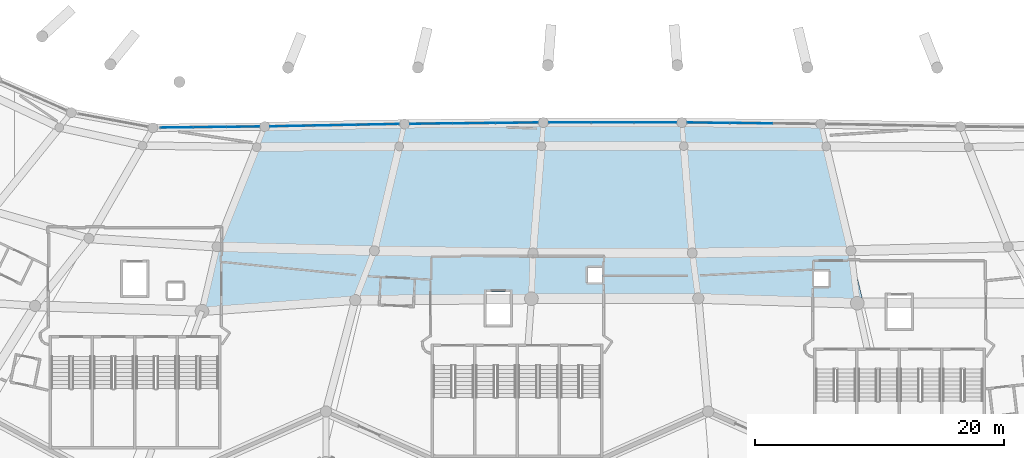
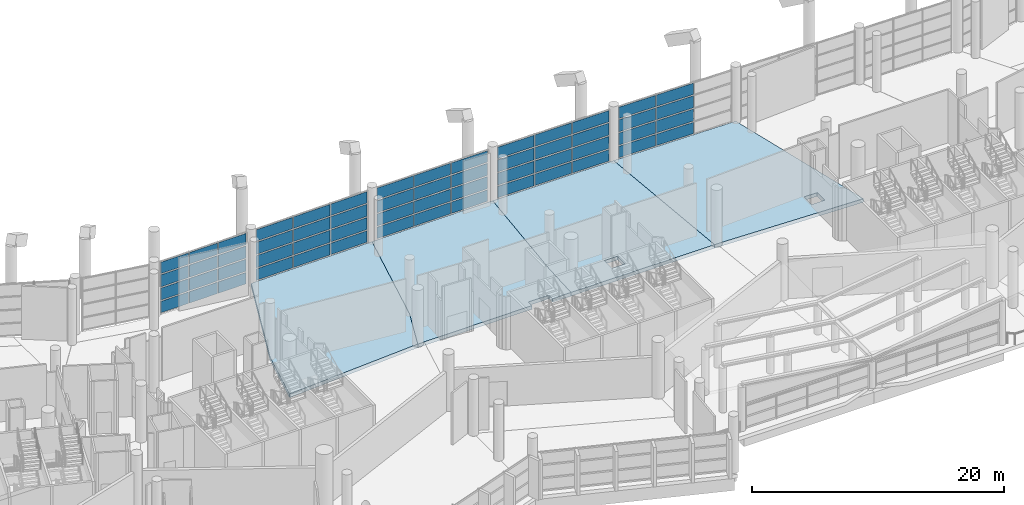
# One storey, part 120 of 271: 56 plates, 4 slabs, 5 elements without a shape of their own.
"""IFC4 building model written with IfcOpenShell, lengths in metres."""

from ifc_helpers import new_model, si_unit, direction, frame, origin, origin_2d, place, context, subcontext, project, spatial, polyline, rectangle, outline, extrude, material, layer, layer_set, type_object, element, aggregate, save


model = new_model("IFC4")

# Units and contexts
model_context = context("Model", 3, precision=1e-05, world=origin(), true_north=direction((0.0, 1.0)))
body_context = subcontext(model_context, "Body", "Model", "MODEL_VIEW")
ifc_project = project(units=[si_unit("LENGTHUNIT", "METRE"), si_unit("AREAUNIT", "SQUARE_METRE"), si_unit("VOLUMEUNIT", "CUBIC_METRE"), si_unit("PLANEANGLEUNIT", "RADIAN"), si_unit("MASSUNIT", "GRAM", prefix="KILO")], contexts=[model_context])

# Site, building, storey
site_placement = place(None, origin())
site = spatial("IfcSite", under=ifc_project, at=site_placement, CompositionType="ELEMENT")
building_placement = place(site_placement, origin())
building = spatial("IfcBuilding", under=site, at=building_placement, Name="Meseta Stadium", CompositionType="ELEMENT")
storey_placement = place(building_placement, frame((0.0, 0.0, 6.5)))
storey = spatial("IfcBuildingStorey", under=building, at=storey_placement, Name="L01", CompositionType="ELEMENT", Elevation=6.5)

# Curtain wall, plates
ifc_material_1 = material(Name="Aluminium", Category="aluminium")
ifc_layer_1 = layer(ifc_material_1, 0.199951171875)
ifc_layer_set_1 = layer_set([ifc_layer_1], Name="Club glazing curtain wall")
curtain_wall_type = type_object("IfcCurtainWallType", Name="Club glazing curtain wall", PredefinedType="NOTDEFINED", material=ifc_layer_set_1)
curtain_wall_1_placement = place(storey_placement, origin())
curtain_wall_1 = element("IfcCurtainWall", 1, at=curtain_wall_1_placement, inside=storey, type_object=curtain_wall_type, Name="Club glazing bay 43", PredefinedType="NOTDEFINED")
ifc_material_2 = material(Name="Glass", Category="glass")
ifc_layer_2 = layer(ifc_material_2, 0.028076171875)
ifc_layer_set_2 = layer_set([ifc_layer_2], Name="CW glass panel 28")
plate_type = type_object("IfcPlateType", Name="CW glass panel 28", PredefinedType="CURTAIN_PANEL", material=ifc_layer_set_2)
plate_1_placement = place(storey_placement, frame((-34.977783203125, -75.812255859375, 0.1201171875), z_axis=(0.0, 0.0, 1.0), x_axis=(0.999941218201, 0.010842515481, 0.0)))
plate_1 = element("IfcPlate", 2, at=plate_1_placement, type_object=plate_type, Name="CWC panel 1.1", PredefinedType="CURTAIN_PANEL", context=body_context, shape_type="SweptSolid", body=[
    extrude(rectangle(XDim=2.5830078125, YDim=0.028076171875, at=origin_2d()), origin(), (0.0, 0.0, 1.0), 1.107421875),
])
plate_2_placement = place(storey_placement, frame((-34.977783203125, -75.812255859375, 1.347412109375), z_axis=(0.0, 0.0, 1.0), x_axis=(0.999941218201, 0.010842515481, 0.0)))
plate_2 = element("IfcPlate", 3, at=plate_2_placement, type_object=plate_type, Name="CWC panel 1.2", PredefinedType="CURTAIN_PANEL", context=body_context, shape_type="SweptSolid", body=[
    extrude(rectangle(XDim=2.5830078125, YDim=0.028076171875, at=origin_2d()), origin(), (0.0, 0.0, 1.0), 1.16748046875),
])
plate_3_placement = place(storey_placement, frame((-34.977783203125, -75.812255859375, 2.635009765625), z_axis=(0.0, 0.0, 1.0), x_axis=(0.999941218201, 0.010842515481, 0.0)))
plate_3 = element("IfcPlate", 4, at=plate_3_placement, type_object=plate_type, Name="CWC panel 1.3", PredefinedType="CURTAIN_PANEL", context=body_context, shape_type="SweptSolid", body=[
    extrude(rectangle(XDim=2.5830078125, YDim=0.028076171875, at=origin_2d()), origin(), (0.0, 0.0, 1.0), 1.16748046875),
])
plate_4_placement = place(storey_placement, frame((-34.977783203125, -75.812255859375, 3.922607421875), z_axis=(0.0, 0.0, 1.0), x_axis=(0.999941218201, 0.010842515481, 0.0)))
plate_4 = element("IfcPlate", 5, at=plate_4_placement, type_object=plate_type, Name="CWC panel 1.4", PredefinedType="CURTAIN_PANEL", context=body_context, shape_type="SweptSolid", body=[
    extrude(rectangle(XDim=2.5830078125, YDim=0.028076171875, at=origin_2d()), origin(), (0.0, 0.0, 1.0), 1.107421875),
])
plate_5_placement = place(storey_placement, frame((-32.320068359375, -75.783447265625, 0.1201171875), z_axis=(0.0, 0.0, 1.0), x_axis=(0.999941218201, 0.010842515481, 0.0)))
plate_5 = element("IfcPlate", 6, at=plate_5_placement, type_object=plate_type, Name="CWC panel 2.1", PredefinedType="CURTAIN_PANEL", context=body_context, shape_type="SweptSolid", body=[
    extrude(rectangle(XDim=2.613037109375, YDim=0.028076171875, at=origin_2d()), origin(), (0.0, 0.0, 1.0), 1.107421875),
])
plate_6_placement = place(storey_placement, frame((-32.320068359375, -75.783447265625, 1.347412109375), z_axis=(0.0, 0.0, 1.0), x_axis=(0.999941218201, 0.010842515481, 0.0)))
plate_6 = element("IfcPlate", 7, at=plate_6_placement, type_object=plate_type, Name="CWC panel 2.2", PredefinedType="CURTAIN_PANEL", context=body_context, shape_type="SweptSolid", body=[
    extrude(rectangle(XDim=2.613037109375, YDim=0.028076171875, at=origin_2d()), origin(), (0.0, 0.0, 1.0), 1.16748046875),
])
plate_7_placement = place(storey_placement, frame((-32.320068359375, -75.783447265625, 2.635009765625), z_axis=(0.0, 0.0, 1.0), x_axis=(0.999941218201, 0.010842515481, 0.0)))
plate_7 = element("IfcPlate", 8, at=plate_7_placement, type_object=plate_type, Name="CWC panel 2.3", PredefinedType="CURTAIN_PANEL", context=body_context, shape_type="SweptSolid", body=[
    extrude(rectangle(XDim=2.613037109375, YDim=0.028076171875, at=origin_2d()), origin(), (0.0, 0.0, 1.0), 1.16748046875),
])
plate_8_placement = place(storey_placement, frame((-32.320068359375, -75.783447265625, 3.922607421875), z_axis=(0.0, 0.0, 1.0), x_axis=(0.999941218201, 0.010842515481, 0.0)))
plate_8 = element("IfcPlate", 9, at=plate_8_placement, type_object=plate_type, Name="CWC panel 2.4", PredefinedType="CURTAIN_PANEL", context=body_context, shape_type="SweptSolid", body=[
    extrude(rectangle(XDim=2.613037109375, YDim=0.028076171875, at=origin_2d()), origin(), (0.0, 0.0, 1.0), 1.107421875),
])
plate_9_placement = place(storey_placement, frame((-29.662109375, -75.754638671875, 0.1201171875), z_axis=(0.0, 0.0, 1.0), x_axis=(0.999941218201, 0.010842515481, 0.0)))
plate_9 = element("IfcPlate", 10, at=plate_9_placement, type_object=plate_type, Name="CWC panel 3.1", PredefinedType="CURTAIN_PANEL", context=body_context, shape_type="SweptSolid", body=[
    extrude(rectangle(XDim=2.5830078125, YDim=0.028076171875, at=origin_2d()), origin(), (0.0, 0.0, 1.0), 1.107421875),
])
plate_10_placement = place(storey_placement, frame((-29.662109375, -75.754638671875, 1.347412109375), z_axis=(0.0, 0.0, 1.0), x_axis=(0.999941218201, 0.010842515481, 0.0)))
plate_10 = element("IfcPlate", 11, at=plate_10_placement, type_object=plate_type, Name="CWC panel 3.2", PredefinedType="CURTAIN_PANEL", context=body_context, shape_type="SweptSolid", body=[
    extrude(rectangle(XDim=2.5830078125, YDim=0.028076171875, at=origin_2d()), origin(), (0.0, 0.0, 1.0), 1.16748046875),
])
plate_11_placement = place(storey_placement, frame((-29.662109375, -75.754638671875, 2.635009765625), z_axis=(0.0, 0.0, 1.0), x_axis=(0.999941218201, 0.010842515481, 0.0)))
plate_11 = element("IfcPlate", 12, at=plate_11_placement, type_object=plate_type, Name="CWC panel 3.3", PredefinedType="CURTAIN_PANEL", context=body_context, shape_type="SweptSolid", body=[
    extrude(rectangle(XDim=2.5830078125, YDim=0.028076171875, at=origin_2d()), origin(), (0.0, 0.0, 1.0), 1.16748046875),
])
plate_12_placement = place(storey_placement, frame((-29.662109375, -75.754638671875, 3.922607421875), z_axis=(0.0, 0.0, 1.0), x_axis=(0.999941218201, 0.010842515481, 0.0)))
plate_12 = element("IfcPlate", 13, at=plate_12_placement, type_object=plate_type, Name="CWC panel 3.4", PredefinedType="CURTAIN_PANEL", context=body_context, shape_type="SweptSolid", body=[
    extrude(rectangle(XDim=2.5830078125, YDim=0.028076171875, at=origin_2d()), origin(), (0.0, 0.0, 1.0), 1.107421875),
])
aggregate(curtain_wall_1, [plate_1, plate_2, plate_3, plate_4, plate_5, plate_6, plate_7, plate_8, plate_9, plate_10, plate_11, plate_12])

curtain_wall_2_placement = place(storey_placement, origin())
curtain_wall_2 = element("IfcCurtainWall", 14, at=curtain_wall_2_placement, inside=storey, type_object=curtain_wall_type, Name="Club glazing bay 44", PredefinedType="NOTDEFINED")
plate_13_placement = place(storey_placement, frame((-25.7607421875, -75.696044921875, 0.1201171875), z_axis=(0.0, 0.0, 1.0), x_axis=(0.99983100259, 0.018383858671, 0.0)))
plate_13 = element("IfcPlate", 15, at=plate_13_placement, type_object=plate_type, Name="CWC panel 1.1", PredefinedType="CURTAIN_PANEL", context=body_context, shape_type="SweptSolid", body=[
    extrude(rectangle(XDim=3.382080078125, YDim=0.028076171875, at=origin_2d()), origin(), (0.0, 0.0, 1.0), 1.107421875),
])
plate_14_placement = place(storey_placement, frame((-25.7607421875, -75.696044921875, 1.347412109375), z_axis=(0.0, 0.0, 1.0), x_axis=(0.99983100259, 0.018383858671, 0.0)))
plate_14 = element("IfcPlate", 16, at=plate_14_placement, type_object=plate_type, Name="CWC panel 1.2", PredefinedType="CURTAIN_PANEL", context=body_context, shape_type="SweptSolid", body=[
    extrude(rectangle(XDim=3.382080078125, YDim=0.028076171875, at=origin_2d()), origin(), (0.0, 0.0, 1.0), 1.16748046875),
])
plate_15_placement = place(storey_placement, frame((-25.7607421875, -75.696044921875, 2.635009765625), z_axis=(0.0, 0.0, 1.0), x_axis=(0.99983100259, 0.018383858671, 0.0)))
plate_15 = element("IfcPlate", 17, at=plate_15_placement, type_object=plate_type, Name="CWC panel 1.3", PredefinedType="CURTAIN_PANEL", context=body_context, shape_type="SweptSolid", body=[
    extrude(rectangle(XDim=3.382080078125, YDim=0.028076171875, at=origin_2d()), origin(), (0.0, 0.0, 1.0), 1.16748046875),
])
plate_16_placement = place(storey_placement, frame((-25.7607421875, -75.696044921875, 3.922607421875), z_axis=(0.0, 0.0, 1.0), x_axis=(0.99983100259, 0.018383858671, 0.0)))
plate_16 = element("IfcPlate", 18, at=plate_16_placement, type_object=plate_type, Name="CWC panel 1.4", PredefinedType="CURTAIN_PANEL", context=body_context, shape_type="SweptSolid", body=[
    extrude(rectangle(XDim=3.382080078125, YDim=0.028076171875, at=origin_2d()), origin(), (0.0, 0.0, 1.0), 1.107421875),
])
plate_17_placement = place(storey_placement, frame((-22.30419921875, -75.632568359375, 0.1201171875), z_axis=(0.0, 0.0, 1.0), x_axis=(0.99983100259, 0.018383858671, 0.0)))
plate_17 = element("IfcPlate", 19, at=plate_17_placement, type_object=plate_type, Name="CWC panel 2.1", PredefinedType="CURTAIN_PANEL", context=body_context, shape_type="SweptSolid", body=[
    extrude(rectangle(XDim=3.411865234375, YDim=0.028076171875, at=origin_2d()), origin(), (0.0, 0.0, 1.0), 1.107421875),
])
plate_18_placement = place(storey_placement, frame((-22.30419921875, -75.632568359375, 1.347412109375), z_axis=(0.0, 0.0, 1.0), x_axis=(0.99983100259, 0.018383858671, 0.0)))
plate_18 = element("IfcPlate", 20, at=plate_18_placement, type_object=plate_type, Name="CWC panel 2.2", PredefinedType="CURTAIN_PANEL", context=body_context, shape_type="SweptSolid", body=[
    extrude(rectangle(XDim=3.411865234375, YDim=0.028076171875, at=origin_2d()), origin(), (0.0, 0.0, 1.0), 1.16748046875),
])
plate_19_placement = place(storey_placement, frame((-22.30419921875, -75.632568359375, 2.635009765625), z_axis=(0.0, 0.0, 1.0), x_axis=(0.99983100259, 0.018383858671, 0.0)))
plate_19 = element("IfcPlate", 21, at=plate_19_placement, type_object=plate_type, Name="CWC panel 2.3", PredefinedType="CURTAIN_PANEL", context=body_context, shape_type="SweptSolid", body=[
    extrude(rectangle(XDim=3.411865234375, YDim=0.028076171875, at=origin_2d()), origin(), (0.0, 0.0, 1.0), 1.16748046875),
])
plate_20_placement = place(storey_placement, frame((-22.30419921875, -75.632568359375, 3.922607421875), z_axis=(0.0, 0.0, 1.0), x_axis=(0.99983100259, 0.018383858671, 0.0)))
plate_20 = element("IfcPlate", 22, at=plate_20_placement, type_object=plate_type, Name="CWC panel 2.4", PredefinedType="CURTAIN_PANEL", context=body_context, shape_type="SweptSolid", body=[
    extrude(rectangle(XDim=3.411865234375, YDim=0.028076171875, at=origin_2d()), origin(), (0.0, 0.0, 1.0), 1.107421875),
])
plate_21_placement = place(storey_placement, frame((-18.847900390625, -75.569091796875, 0.1201171875), z_axis=(0.0, 0.0, 1.0), x_axis=(0.99983100259, 0.018383858671, 0.0)))
plate_21 = element("IfcPlate", 23, at=plate_21_placement, type_object=plate_type, Name="CWC panel 3.1", PredefinedType="CURTAIN_PANEL", context=body_context, shape_type="SweptSolid", body=[
    extrude(rectangle(XDim=3.382080078125, YDim=0.028076171875, at=origin_2d()), origin(), (0.0, 0.0, 1.0), 1.107421875),
])
plate_22_placement = place(storey_placement, frame((-18.847900390625, -75.569091796875, 1.347412109375), z_axis=(0.0, 0.0, 1.0), x_axis=(0.99983100259, 0.018383858671, 0.0)))
plate_22 = element("IfcPlate", 24, at=plate_22_placement, type_object=plate_type, Name="CWC panel 3.2", PredefinedType="CURTAIN_PANEL", context=body_context, shape_type="SweptSolid", body=[
    extrude(rectangle(XDim=3.382080078125, YDim=0.028076171875, at=origin_2d()), origin(), (0.0, 0.0, 1.0), 1.16748046875),
])
plate_23_placement = place(storey_placement, frame((-18.847900390625, -75.569091796875, 2.635009765625), z_axis=(0.0, 0.0, 1.0), x_axis=(0.99983100259, 0.018383858671, 0.0)))
plate_23 = element("IfcPlate", 25, at=plate_23_placement, type_object=plate_type, Name="CWC panel 3.3", PredefinedType="CURTAIN_PANEL", context=body_context, shape_type="SweptSolid", body=[
    extrude(rectangle(XDim=3.382080078125, YDim=0.028076171875, at=origin_2d()), origin(), (0.0, 0.0, 1.0), 1.16748046875),
])
plate_24_placement = place(storey_placement, frame((-18.847900390625, -75.569091796875, 3.922607421875), z_axis=(0.0, 0.0, 1.0), x_axis=(0.99983100259, 0.018383858671, 0.0)))
plate_24 = element("IfcPlate", 26, at=plate_24_placement, type_object=plate_type, Name="CWC panel 3.4", PredefinedType="CURTAIN_PANEL", context=body_context, shape_type="SweptSolid", body=[
    extrude(rectangle(XDim=3.382080078125, YDim=0.028076171875, at=origin_2d()), origin(), (0.0, 0.0, 1.0), 1.107421875),
])
aggregate(curtain_wall_2, [plate_13, plate_14, plate_15, plate_16, plate_17, plate_18, plate_19, plate_20, plate_21, plate_22, plate_23, plate_24])

curtain_wall_3_placement = place(storey_placement, origin())
curtain_wall_3 = element("IfcCurtainWall", 27, at=curtain_wall_3_placement, inside=storey, type_object=curtain_wall_type, Name="Club glazing bay 45", PredefinedType="NOTDEFINED")
plate_25_placement = place(storey_placement, frame((-14.55908203125, -75.507568359375, 0.1201171875), z_axis=(0.0, 0.0, 1.0), x_axis=(0.999947169774, 0.010278991253, 0.0)))
plate_25 = element("IfcPlate", 28, at=plate_25_placement, type_object=plate_type, Name="CWC panel 1.1", PredefinedType="CURTAIN_PANEL", context=body_context, shape_type="SweptSolid", body=[
    extrude(rectangle(XDim=3.357177734375, YDim=0.028076171875, at=origin_2d()), origin(), (0.0, 0.0, 1.0), 1.107421875),
])
plate_26_placement = place(storey_placement, frame((-14.55908203125, -75.507568359375, 1.347412109375), z_axis=(0.0, 0.0, 1.0), x_axis=(0.999947169774, 0.010278991253, 0.0)))
plate_26 = element("IfcPlate", 29, at=plate_26_placement, type_object=plate_type, Name="CWC panel 1.2", PredefinedType="CURTAIN_PANEL", context=body_context, shape_type="SweptSolid", body=[
    extrude(rectangle(XDim=3.357177734375, YDim=0.028076171875, at=origin_2d()), origin(), (0.0, 0.0, 1.0), 1.16748046875),
])
plate_27_placement = place(storey_placement, frame((-14.55908203125, -75.507568359375, 2.635009765625), z_axis=(0.0, 0.0, 1.0), x_axis=(0.999947169774, 0.010278991253, 0.0)))
plate_27 = element("IfcPlate", 30, at=plate_27_placement, type_object=plate_type, Name="CWC panel 1.3", PredefinedType="CURTAIN_PANEL", context=body_context, shape_type="SweptSolid", body=[
    extrude(rectangle(XDim=3.357177734375, YDim=0.028076171875, at=origin_2d()), origin(), (0.0, 0.0, 1.0), 1.16748046875),
])
plate_28_placement = place(storey_placement, frame((-14.55908203125, -75.507568359375, 3.922607421875), z_axis=(0.0, 0.0, 1.0), x_axis=(0.999947169774, 0.010278991253, 0.0)))
plate_28 = element("IfcPlate", 31, at=plate_28_placement, type_object=plate_type, Name="CWC panel 1.4", PredefinedType="CURTAIN_PANEL", context=body_context, shape_type="SweptSolid", body=[
    extrude(rectangle(XDim=3.357177734375, YDim=0.028076171875, at=origin_2d()), origin(), (0.0, 0.0, 1.0), 1.107421875),
])
plate_29_placement = place(storey_placement, frame((-11.127197265625, -75.47216796875, 0.1201171875), z_axis=(0.0, 0.0, 1.0), x_axis=(0.999947169774, 0.010278991253, 0.0)))
plate_29 = element("IfcPlate", 32, at=plate_29_placement, type_object=plate_type, Name="CWC panel 2.1", PredefinedType="CURTAIN_PANEL", context=body_context, shape_type="SweptSolid", body=[
    extrude(rectangle(XDim=3.38720703125, YDim=0.028076171875, at=origin_2d()), origin(), (0.0, 0.0, 1.0), 1.107421875),
])
plate_30_placement = place(storey_placement, frame((-11.127197265625, -75.47216796875, 1.347412109375), z_axis=(0.0, 0.0, 1.0), x_axis=(0.999947169774, 0.010278991253, 0.0)))
plate_30 = element("IfcPlate", 33, at=plate_30_placement, type_object=plate_type, Name="CWC panel 2.2", PredefinedType="CURTAIN_PANEL", context=body_context, shape_type="SweptSolid", body=[
    extrude(rectangle(XDim=3.38720703125, YDim=0.028076171875, at=origin_2d()), origin(), (0.0, 0.0, 1.0), 1.16748046875),
])
plate_31_placement = place(storey_placement, frame((-11.127197265625, -75.47216796875, 2.635009765625), z_axis=(0.0, 0.0, 1.0), x_axis=(0.999947169774, 0.010278991253, 0.0)))
plate_31 = element("IfcPlate", 34, at=plate_31_placement, type_object=plate_type, Name="CWC panel 2.3", PredefinedType="CURTAIN_PANEL", context=body_context, shape_type="SweptSolid", body=[
    extrude(rectangle(XDim=3.38720703125, YDim=0.028076171875, at=origin_2d()), origin(), (0.0, 0.0, 1.0), 1.16748046875),
])
plate_32_placement = place(storey_placement, frame((-11.127197265625, -75.47216796875, 3.922607421875), z_axis=(0.0, 0.0, 1.0), x_axis=(0.999947169774, 0.010278991253, 0.0)))
plate_32 = element("IfcPlate", 35, at=plate_32_placement, type_object=plate_type, Name="CWC panel 2.4", PredefinedType="CURTAIN_PANEL", context=body_context, shape_type="SweptSolid", body=[
    extrude(rectangle(XDim=3.38720703125, YDim=0.028076171875, at=origin_2d()), origin(), (0.0, 0.0, 1.0), 1.107421875),
])
plate_33_placement = place(storey_placement, frame((-7.695068359375, -75.43701171875, 0.1201171875), z_axis=(0.0, 0.0, 1.0), x_axis=(0.999947169774, 0.010278991253, 0.0)))
plate_33 = element("IfcPlate", 36, at=plate_33_placement, type_object=plate_type, Name="CWC panel 3.1", PredefinedType="CURTAIN_PANEL", context=body_context, shape_type="SweptSolid", body=[
    extrude(rectangle(XDim=3.357177734375, YDim=0.028076171875, at=origin_2d()), origin(), (0.0, 0.0, 1.0), 1.107421875),
])
plate_34_placement = place(storey_placement, frame((-7.695068359375, -75.43701171875, 1.347412109375), z_axis=(0.0, 0.0, 1.0), x_axis=(0.999947169774, 0.010278991253, 0.0)))
plate_34 = element("IfcPlate", 37, at=plate_34_placement, type_object=plate_type, Name="CWC panel 3.2", PredefinedType="CURTAIN_PANEL", context=body_context, shape_type="SweptSolid", body=[
    extrude(rectangle(XDim=3.357177734375, YDim=0.028076171875, at=origin_2d()), origin(), (0.0, 0.0, 1.0), 1.16748046875),
])
plate_35_placement = place(storey_placement, frame((-7.695068359375, -75.43701171875, 2.635009765625), z_axis=(0.0, 0.0, 1.0), x_axis=(0.999947169774, 0.010278991253, 0.0)))
plate_35 = element("IfcPlate", 38, at=plate_35_placement, type_object=plate_type, Name="CWC panel 3.3", PredefinedType="CURTAIN_PANEL", context=body_context, shape_type="SweptSolid", body=[
    extrude(rectangle(XDim=3.357177734375, YDim=0.028076171875, at=origin_2d()), origin(), (0.0, 0.0, 1.0), 1.16748046875),
])
plate_36_placement = place(storey_placement, frame((-7.695068359375, -75.43701171875, 3.922607421875), z_axis=(0.0, 0.0, 1.0), x_axis=(0.999947169774, 0.010278991253, 0.0)))
plate_36 = element("IfcPlate", 39, at=plate_36_placement, type_object=plate_type, Name="CWC panel 3.4", PredefinedType="CURTAIN_PANEL", context=body_context, shape_type="SweptSolid", body=[
    extrude(rectangle(XDim=3.357177734375, YDim=0.028076171875, at=origin_2d()), origin(), (0.0, 0.0, 1.0), 1.107421875),
])
aggregate(curtain_wall_3, [plate_25, plate_26, plate_27, plate_28, plate_29, plate_30, plate_31, plate_32, plate_33, plate_34, plate_35, plate_36])

curtain_wall_4_placement = place(storey_placement, origin())
curtain_wall_4 = element("IfcCurtainWall", 40, at=curtain_wall_4_placement, inside=storey, type_object=curtain_wall_type, Name="Club glazing bay 46", PredefinedType="NOTDEFINED")
plate_37_placement = place(storey_placement, frame((-3.4228515625, -75.4150390625, 0.1201171875), z_axis=(0.0, 0.0, 1.0), x_axis=(1.0, 0.0, 0.0)))
plate_37 = element("IfcPlate", 41, at=plate_37_placement, type_object=plate_type, Name="CWC panel 1.1", PredefinedType="CURTAIN_PANEL", context=body_context, shape_type="SweptSolid", body=[
    extrude(rectangle(XDim=3.347900390625, YDim=0.028076171875, at=origin_2d()), origin(), (0.0, 0.0, 1.0), 1.107421875),
])
plate_38_placement = place(storey_placement, frame((-3.4228515625, -75.4150390625, 1.347412109375), z_axis=(0.0, 0.0, 1.0), x_axis=(1.0, 0.0, 0.0)))
plate_38 = element("IfcPlate", 42, at=plate_38_placement, type_object=plate_type, Name="CWC panel 1.2", PredefinedType="CURTAIN_PANEL", context=body_context, shape_type="SweptSolid", body=[
    extrude(rectangle(XDim=3.347900390625, YDim=0.028076171875, at=origin_2d()), origin(), (0.0, 0.0, 1.0), 1.16748046875),
])
plate_39_placement = place(storey_placement, frame((-3.4228515625, -75.4150390625, 2.635009765625), z_axis=(0.0, 0.0, 1.0), x_axis=(1.0, 0.0, 0.0)))
plate_39 = element("IfcPlate", 43, at=plate_39_placement, type_object=plate_type, Name="CWC panel 1.3", PredefinedType="CURTAIN_PANEL", context=body_context, shape_type="SweptSolid", body=[
    extrude(rectangle(XDim=3.347900390625, YDim=0.028076171875, at=origin_2d()), origin(), (0.0, 0.0, 1.0), 1.16748046875),
])
plate_40_placement = place(storey_placement, frame((-3.4228515625, -75.4150390625, 3.922607421875), z_axis=(0.0, 0.0, 1.0), x_axis=(1.0, 0.0, 0.0)))
plate_40 = element("IfcPlate", 44, at=plate_40_placement, type_object=plate_type, Name="CWC panel 1.4", PredefinedType="CURTAIN_PANEL", context=body_context, shape_type="SweptSolid", body=[
    extrude(rectangle(XDim=3.347900390625, YDim=0.028076171875, at=origin_2d()), origin(), (0.0, 0.0, 1.0), 1.107421875),
])
plate_41_placement = place(storey_placement, frame((0.0, -75.4150390625, 0.1201171875), z_axis=(0.0, 0.0, 1.0), x_axis=(1.0, 0.0, 0.0)))
plate_41 = element("IfcPlate", 45, at=plate_41_placement, type_object=plate_type, Name="CWC panel 2.1", PredefinedType="CURTAIN_PANEL", context=body_context, shape_type="SweptSolid", body=[
    extrude(rectangle(XDim=3.3779296875, YDim=0.028076171875, at=origin_2d()), origin(), (0.0, 0.0, 1.0), 1.107421875),
])
plate_42_placement = place(storey_placement, frame((0.0, -75.4150390625, 1.347412109375), z_axis=(0.0, 0.0, 1.0), x_axis=(1.0, 0.0, 0.0)))
plate_42 = element("IfcPlate", 46, at=plate_42_placement, type_object=plate_type, Name="CWC panel 2.2", PredefinedType="CURTAIN_PANEL", context=body_context, shape_type="SweptSolid", body=[
    extrude(rectangle(XDim=3.3779296875, YDim=0.028076171875, at=origin_2d()), origin(), (0.0, 0.0, 1.0), 1.16748046875),
])
plate_43_placement = place(storey_placement, frame((0.0, -75.4150390625, 2.635009765625), z_axis=(0.0, 0.0, 1.0), x_axis=(1.0, 0.0, 0.0)))
plate_43 = element("IfcPlate", 47, at=plate_43_placement, type_object=plate_type, Name="CWC panel 2.3", PredefinedType="CURTAIN_PANEL", context=body_context, shape_type="SweptSolid", body=[
    extrude(rectangle(XDim=3.3779296875, YDim=0.028076171875, at=origin_2d()), origin(), (0.0, 0.0, 1.0), 1.16748046875),
])
plate_44_placement = place(storey_placement, frame((0.0, -75.4150390625, 3.922607421875), z_axis=(0.0, 0.0, 1.0), x_axis=(1.0, 0.0, 0.0)))
plate_44 = element("IfcPlate", 48, at=plate_44_placement, type_object=plate_type, Name="CWC panel 2.4", PredefinedType="CURTAIN_PANEL", context=body_context, shape_type="SweptSolid", body=[
    extrude(rectangle(XDim=3.3779296875, YDim=0.028076171875, at=origin_2d()), origin(), (0.0, 0.0, 1.0), 1.107421875),
])
plate_45_placement = place(storey_placement, frame((3.4228515625, -75.4150390625, 0.1201171875), z_axis=(0.0, 0.0, 1.0), x_axis=(1.0, 0.0, 0.0)))
plate_45 = element("IfcPlate", 49, at=plate_45_placement, type_object=plate_type, Name="CWC panel 3.1", PredefinedType="CURTAIN_PANEL", context=body_context, shape_type="SweptSolid", body=[
    extrude(rectangle(XDim=3.347900390625, YDim=0.028076171875, at=origin_2d()), origin(), (0.0, 0.0, 1.0), 1.107421875),
])
plate_46_placement = place(storey_placement, frame((3.4228515625, -75.4150390625, 1.347412109375), z_axis=(0.0, 0.0, 1.0), x_axis=(1.0, 0.0, 0.0)))
plate_46 = element("IfcPlate", 50, at=plate_46_placement, type_object=plate_type, Name="CWC panel 3.2", PredefinedType="CURTAIN_PANEL", context=body_context, shape_type="SweptSolid", body=[
    extrude(rectangle(XDim=3.347900390625, YDim=0.028076171875, at=origin_2d()), origin(), (0.0, 0.0, 1.0), 1.16748046875),
])
plate_47_placement = place(storey_placement, frame((3.4228515625, -75.4150390625, 2.635009765625), z_axis=(0.0, 0.0, 1.0), x_axis=(1.0, 0.0, 0.0)))
plate_47 = element("IfcPlate", 51, at=plate_47_placement, type_object=plate_type, Name="CWC panel 3.3", PredefinedType="CURTAIN_PANEL", context=body_context, shape_type="SweptSolid", body=[
    extrude(rectangle(XDim=3.347900390625, YDim=0.028076171875, at=origin_2d()), origin(), (0.0, 0.0, 1.0), 1.16748046875),
])
plate_48_placement = place(storey_placement, frame((3.4228515625, -75.4150390625, 3.922607421875), z_axis=(0.0, 0.0, 1.0), x_axis=(1.0, 0.0, 0.0)))
plate_48 = element("IfcPlate", 52, at=plate_48_placement, type_object=plate_type, Name="CWC panel 3.4", PredefinedType="CURTAIN_PANEL", context=body_context, shape_type="SweptSolid", body=[
    extrude(rectangle(XDim=3.347900390625, YDim=0.028076171875, at=origin_2d()), origin(), (0.0, 0.0, 1.0), 1.107421875),
])
aggregate(curtain_wall_4, [plate_37, plate_38, plate_39, plate_40, plate_41, plate_42, plate_43, plate_44, plate_45, plate_46, plate_47, plate_48])

curtain_wall_5_placement = place(storey_placement, origin())
curtain_wall_5 = element("IfcCurtainWall", 53, at=curtain_wall_5_placement, inside=storey, type_object=curtain_wall_type, Name="Club glazing bay 47", PredefinedType="NOTDEFINED")
plate_49_placement = place(storey_placement, frame((7.695068359375, -75.43701171875, 0.1201171875), z_axis=(0.0, 0.0, 1.0), x_axis=(0.999947169774, -0.010278991253, 0.0)))
plate_49 = element("IfcPlate", 54, at=plate_49_placement, type_object=plate_type, Name="CWC panel 1.1", PredefinedType="CURTAIN_PANEL", context=body_context, shape_type="SweptSolid", body=[
    extrude(rectangle(XDim=3.357177734375, YDim=0.028076171875, at=origin_2d()), origin(), (0.0, 0.0, 1.0), 1.107421875),
])
plate_50_placement = place(storey_placement, frame((7.695068359375, -75.43701171875, 1.347412109375), z_axis=(0.0, 0.0, 1.0), x_axis=(0.999947169774, -0.010278991253, 0.0)))
plate_50 = element("IfcPlate", 55, at=plate_50_placement, type_object=plate_type, Name="CWC panel 1.2", PredefinedType="CURTAIN_PANEL", context=body_context, shape_type="SweptSolid", body=[
    extrude(rectangle(XDim=3.357177734375, YDim=0.028076171875, at=origin_2d()), origin(), (0.0, 0.0, 1.0), 1.16748046875),
])
plate_51_placement = place(storey_placement, frame((7.695068359375, -75.43701171875, 2.635009765625), z_axis=(0.0, 0.0, 1.0), x_axis=(0.999947169774, -0.010278991253, 0.0)))
plate_51 = element("IfcPlate", 56, at=plate_51_placement, type_object=plate_type, Name="CWC panel 1.3", PredefinedType="CURTAIN_PANEL", context=body_context, shape_type="SweptSolid", body=[
    extrude(rectangle(XDim=3.357177734375, YDim=0.028076171875, at=origin_2d()), origin(), (0.0, 0.0, 1.0), 1.16748046875),
])
plate_52_placement = place(storey_placement, frame((7.695068359375, -75.43701171875, 3.922607421875), z_axis=(0.0, 0.0, 1.0), x_axis=(0.999947169774, -0.010278991253, 0.0)))
plate_52 = element("IfcPlate", 57, at=plate_52_placement, type_object=plate_type, Name="CWC panel 1.4", PredefinedType="CURTAIN_PANEL", context=body_context, shape_type="SweptSolid", body=[
    extrude(rectangle(XDim=3.357177734375, YDim=0.028076171875, at=origin_2d()), origin(), (0.0, 0.0, 1.0), 1.107421875),
])
plate_53_placement = place(storey_placement, frame((11.127197265625, -75.47216796875, 0.1201171875), z_axis=(0.0, 0.0, 1.0), x_axis=(0.999947169774, -0.010278991253, 0.0)))
plate_53 = element("IfcPlate", 58, at=plate_53_placement, type_object=plate_type, Name="CWC panel 2.1", PredefinedType="CURTAIN_PANEL", context=body_context, shape_type="SweptSolid", body=[
    extrude(rectangle(XDim=3.38720703125, YDim=0.028076171875, at=origin_2d()), origin(), (0.0, 0.0, 1.0), 1.107421875),
])
plate_54_placement = place(storey_placement, frame((11.127197265625, -75.47216796875, 1.347412109375), z_axis=(0.0, 0.0, 1.0), x_axis=(0.999947169774, -0.010278991253, 0.0)))
plate_54 = element("IfcPlate", 59, at=plate_54_placement, type_object=plate_type, Name="CWC panel 2.2", PredefinedType="CURTAIN_PANEL", context=body_context, shape_type="SweptSolid", body=[
    extrude(rectangle(XDim=3.38720703125, YDim=0.028076171875, at=origin_2d()), origin(), (0.0, 0.0, 1.0), 1.16748046875),
])
plate_55_placement = place(storey_placement, frame((11.127197265625, -75.47216796875, 2.635009765625), z_axis=(0.0, 0.0, 1.0), x_axis=(0.999947169774, -0.010278991253, 0.0)))
plate_55 = element("IfcPlate", 60, at=plate_55_placement, type_object=plate_type, Name="CWC panel 2.3", PredefinedType="CURTAIN_PANEL", context=body_context, shape_type="SweptSolid", body=[
    extrude(rectangle(XDim=3.38720703125, YDim=0.028076171875, at=origin_2d()), origin(), (0.0, 0.0, 1.0), 1.16748046875),
])
plate_56_placement = place(storey_placement, frame((11.127197265625, -75.47216796875, 3.922607421875), z_axis=(0.0, 0.0, 1.0), x_axis=(0.999947169774, -0.010278991253, 0.0)))
plate_56 = element("IfcPlate", 61, at=plate_56_placement, type_object=plate_type, Name="CWC panel 2.4", PredefinedType="CURTAIN_PANEL", context=body_context, shape_type="SweptSolid", body=[
    extrude(rectangle(XDim=3.38720703125, YDim=0.028076171875, at=origin_2d()), origin(), (0.0, 0.0, 1.0), 1.107421875),
])
aggregate(curtain_wall_5, [plate_49, plate_50, plate_51, plate_52, plate_53, plate_54, plate_55, plate_56])

# Slabs
ifc_material_3 = material(Name="Concrete C40/50", Category="concrete")
ifc_layer_3 = layer(ifc_material_3, 0.35009765625)
ifc_layer_set_3 = layer_set([ifc_layer_3], Name="Floor slab 350")
slab_type = type_object("IfcSlabType", Name="Floor slab 350", PredefinedType="FLOOR", material=ifc_layer_set_3)
slab_1_placement = place(storey_placement, frame((0.0, 0.0, -0.35009765625)))
element("IfcSlab", 62, at=slab_1_placement, inside=storey, type_object=slab_type, Name="Floor slab L01 sector 42 panel 08", PredefinedType="FLOOR", context=body_context, shape_type="SweptSolid", body=[
    extrude(outline(polyline([(-20.649658203125, -89.65625), (-19.11865234375, -85.6982421875), (-16.697509765625, -75.529296875), (-18.560302734375, -75.558349609375), (-20.425537109375, -75.589599609375), (-22.293212890625, -75.623046875), (-24.1630859375, -75.65869140625), (-26.03564453125, -75.6962890625), (-27.910888671875, -75.735595703125), (-31.73681640625, -85.376708984375), (-32.944091796875, -90.551025390625), (-20.649658203125, -89.65625)])), origin(), (0.0, 0.0, 1.0), 0.35009765625),
])
slab_2_placement = place(storey_placement, frame((0.0, 0.0, -0.35009765625)))
element("IfcSlab", 63, at=slab_2_placement, inside=storey, type_object=slab_type, Name="Floor slab L01 sector 42 panel 10", PredefinedType="FLOOR", context=body_context, shape_type="SweptSolid", body=[
    extrude(outline(polyline([(-19.11865234375, -85.6982421875), (-20.649658203125, -89.65625), (-10.11669921875, -89.574462890625), (-10.11669921875, -89.0), (-8.216796875, -89.0), (-8.216796875, -89.5595703125), (-6.51708984375, -89.54638671875), (-6.386962890625, -85.876708984375), (-5.556640625, -75.414794921875), (-7.41015625, -75.426513671875), (-9.2646484375, -75.441162109375), (-11.12060546875, -75.458984375), (-12.977783203125, -75.4794921875), (-14.836669921875, -75.503173828125), (-16.697509765625, -75.529296875), (-19.11865234375, -85.6982421875)])), origin(), (0.0, 0.0, 1.0), 0.35009765625),
])
slab_3_placement = place(storey_placement, frame((0.0, 0.0, -0.35009765625)))
element("IfcSlab", 64, at=slab_3_placement, inside=storey, type_object=slab_type, Name="Floor slab L01 sector 42 panel 11", PredefinedType="FLOOR", context=body_context, shape_type="SweptSolid", body=[
    extrude(outline(polyline([(-3.7041015625, -75.406494140625), (-5.556640625, -75.414794921875), (-6.386962890625, -85.876708984375), (-6.51708984375, -89.54638671875), (6.676025390625, -89.518310546875), (5.556640625, -75.414794921875), (3.7041015625, -75.406494140625), (1.851806640625, -75.401611328125), (0.0, -75.39990234375), (-1.851806640625, -75.401611328125), (-3.7041015625, -75.406494140625)]), holes=[polyline([(-0.816650390625, -87.050048828125), (-0.816650390625, -88.25), (-2.0166015625, -88.25), (-2.0166015625, -87.050048828125), (-0.816650390625, -87.050048828125)])]), origin(), (0.0, 0.0, 1.0), 0.35009765625),
])
slab_4_placement = place(storey_placement, frame((0.0, 0.0, -0.35009765625)))
element("IfcSlab", 65, at=slab_4_placement, inside=storey, type_object=slab_type, Name="Floor slab L01 sector 42 panel 13", PredefinedType="FLOOR", context=body_context, shape_type="SweptSolid", body=[
    extrude(outline(polyline([(19.62744140625, -89.90380859375), (20.1201171875, -89.904052734375), (16.697509765625, -75.529296875), (14.836669921875, -75.503173828125), (12.977783203125, -75.4794921875), (11.12060546875, -75.458984375), (9.2646484375, -75.441162109375), (7.41015625, -75.426513671875), (5.556640625, -75.414794921875), (6.676025390625, -89.518310546875), (6.87060546875, -89.517822265625), (19.62744140625, -89.90380859375)]), holes=[polyline([(17.35009765625, -88.550048828125), (16.14990234375, -88.550048828125), (16.14990234375, -87.35009765625), (17.35009765625, -87.35009765625), (17.35009765625, -88.550048828125)])]), origin(), (0.0, 0.0, 1.0), 0.35009765625),
])

save(model, "model.ifc")
